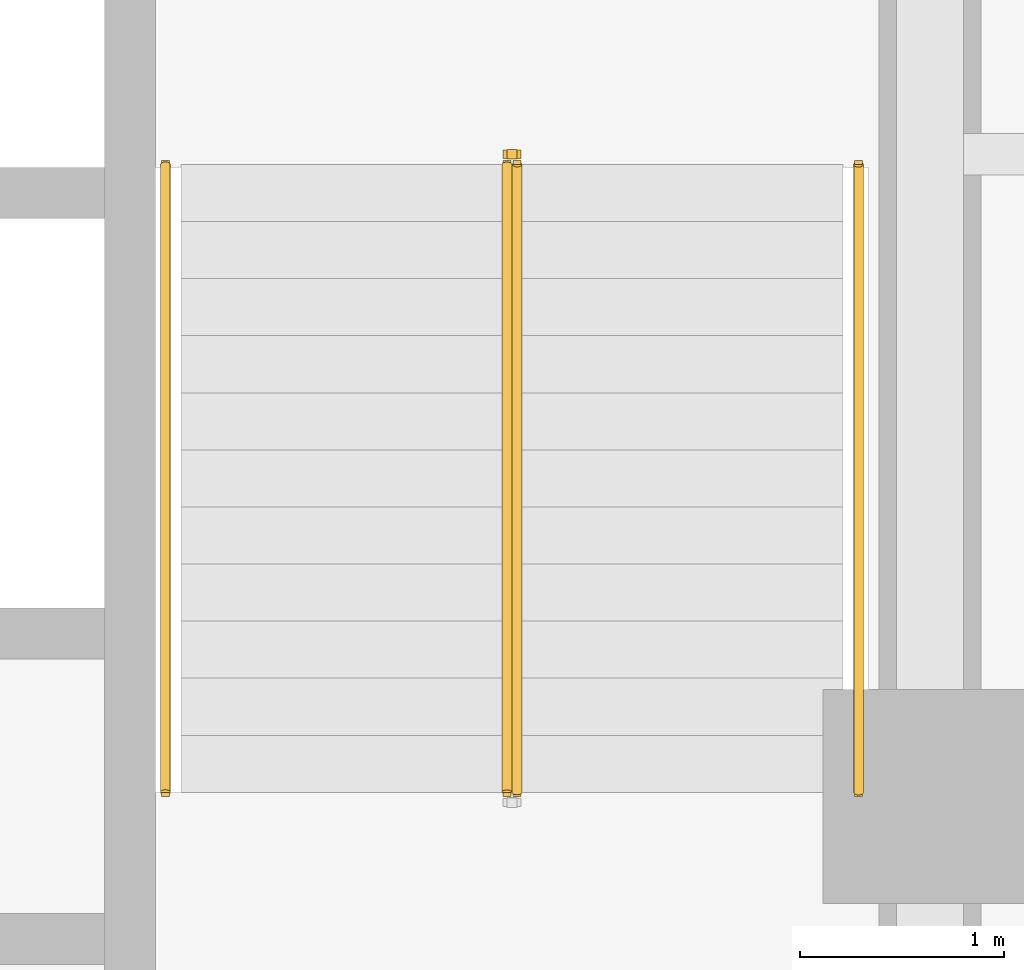
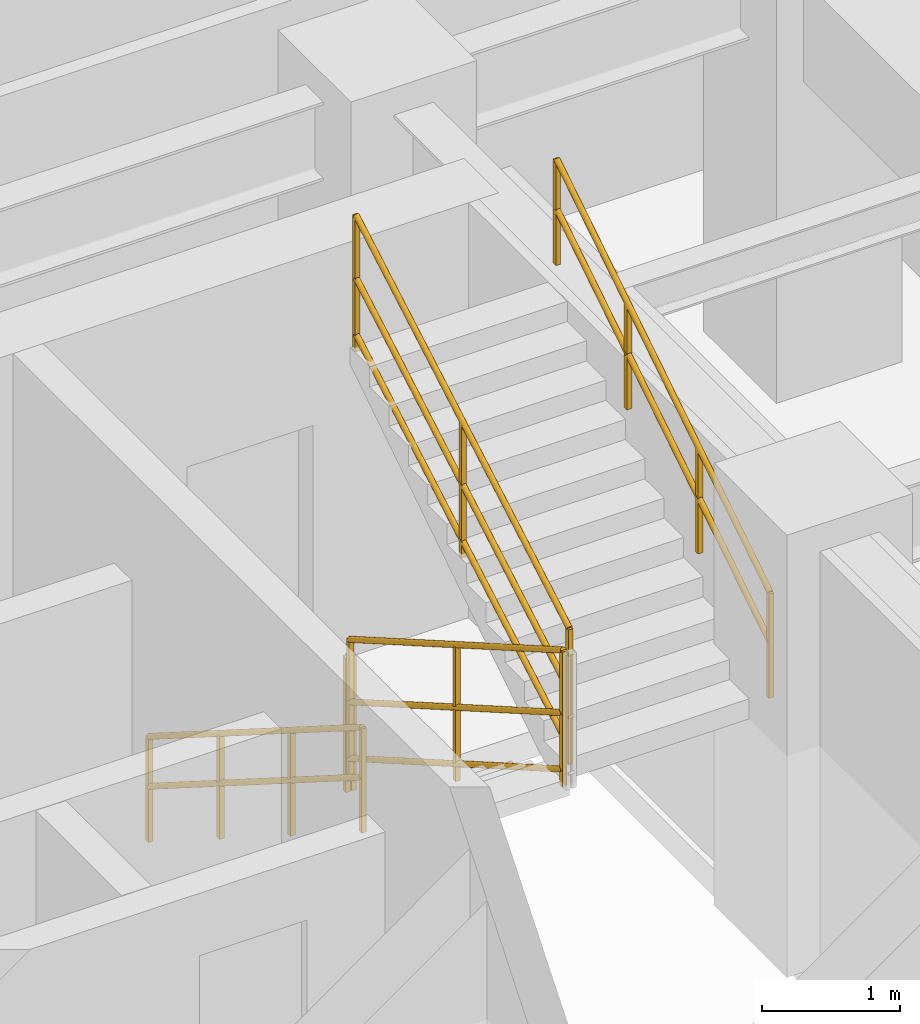
# One storey, part 8 of 9: 5 railings.
"""IFC4 building model written with IfcOpenShell, lengths in metres."""

from ifc_helpers import new_model, entity, si_unit, converted_unit, direction, frame, origin_with_axes, origin_2d_with_axis, place, context, subcontext, project, spatial, rectangle, circle, extrude, material, type_object, element, save


model = new_model("IFC4")

# Units and contexts
model_context = context("Model", 3, precision=1e-05, world=origin_with_axes(), true_north=direction((0.0, 1.0)))
body_context = subcontext(model_context, "Body", "Model", "MODEL_VIEW")
ifc_project = project(units=[si_unit("LENGTHUNIT", "METRE"), si_unit("AREAUNIT", "SQUARE_METRE"), si_unit("VOLUMEUNIT", "CUBIC_METRE"), converted_unit("PLANEANGLEUNIT", "DEGREE", entity("IfcPlaneAngleMeasure", 0.017453292519943295), si_unit("PLANEANGLEUNIT", "RADIAN"), dimensions=[0, 0, 0, 0, 0, 0, 0]), si_unit("MASSUNIT", "GRAM", prefix="KILO"), si_unit("THERMODYNAMICTEMPERATUREUNIT", "KELVIN")], contexts=[model_context])

# Site, building, storey
site_placement = place(None, origin_with_axes())
site = spatial("IfcSite", under=ifc_project, at=site_placement, CompositionType="ELEMENT")
building_placement = place(site_placement, origin_with_axes())
building = spatial("IfcBuilding", under=site, at=building_placement, Name="Varnlund Millrace Tower", CompositionType="ELEMENT")
storey_placement = place(building_placement, frame((0.0, 0.0, 144.6), z_axis=(0.0, 0.0, 1.0), x_axis=(1.0, 0.0, 0.0)))
storey = spatial("IfcBuildingStorey", under=building, at=storey_placement, Name="L35", CompositionType="ELEMENT", Elevation=144.6)

# Railings
ifc_material_1 = material(Name="Painted steel stair well balustrade guard", Category="steel")
railing_type_1 = type_object("IfcRailingType", Name="Type-StairGuard-1150", PredefinedType="GUARDRAIL", material=ifc_material_1)
railing_1_placement = place(storey_placement, frame((0.0, 0.0, -144.6), z_axis=(0.0, 0.0, 1.0), x_axis=(1.0, 0.0, 0.0)))
element("IfcRailing", 1, at=railing_1_placement, inside=storey, type_object=railing_type_1, Name="Type-StairGuard-1150", PredefinedType="GUARDRAIL", context=body_context, shape_type="SweptSolid", body=[
    extrude(circle(Radius=0.024, at=origin_2d_with_axis()), frame((45.975, 21.1, 145.927273), z_axis=(0.0, -0.866696, 0.498836), x_axis=(1.0, 0.0, 0.0)), (0.0, 0.0, 1.0), 3.553725),
    extrude(circle(Radius=0.024, at=origin_2d_with_axis()), frame((45.975, 21.1, 144.877273), z_axis=(0.0, -0.866696, 0.498836), x_axis=(1.0, 0.0, 0.0)), (0.0, 0.0, 1.0), 3.553725),
    extrude(circle(Radius=0.024, at=origin_2d_with_axis()), frame((45.975, 21.1, 145.375273), z_axis=(0.0, -0.866696, 0.498836), x_axis=(1.0, 0.0, 0.0)), (0.0, 0.0, 1.0), 3.553725),
    extrude(rectangle(XDim=0.04, YDim=0.04, at=origin_2d_with_axis()), frame((45.975, 21.1, 144.737273), z_axis=(0.0, 0.0, 1.0), x_axis=(1.0, 0.0, 0.0)), (0.0, 0.0, 1.0), 1.19),
    extrude(rectangle(XDim=0.04, YDim=0.04, at=origin_2d_with_axis()), frame((45.975, 19.56, 145.623636), z_axis=(0.0, 0.0, 1.0), x_axis=(1.0, 0.0, 0.0)), (0.0, 0.0, 1.0), 1.19),
    extrude(rectangle(XDim=0.04, YDim=0.04, at=origin_2d_with_axis()), frame((45.975, 18.02, 146.51), z_axis=(0.0, 0.0, 1.0), x_axis=(1.0, 0.0, 0.0)), (0.0, 0.0, 1.0), 1.19),
])
railing_2_placement = place(storey_placement, frame((0.0, 0.0, -144.6), z_axis=(0.0, 0.0, 1.0), x_axis=(1.0, 0.0, 0.0)))
element("IfcRailing", 2, at=railing_2_placement, inside=storey, type_object=railing_type_1, Name="Type-StairGuard-1150", PredefinedType="GUARDRAIL", context=body_context, shape_type="SweptSolid", body=[
    extrude(circle(Radius=0.024, at=origin_2d_with_axis()), frame((46.025, 18.02, 147.877273), z_axis=(0.0, 0.866696, 0.498836), x_axis=(-1.0, 0.0, 0.0)), (0.0, 0.0, 1.0), 3.553725),
    extrude(circle(Radius=0.024, at=origin_2d_with_axis()), frame((46.025, 18.02, 146.827273), z_axis=(0.0, 0.866696, 0.498836), x_axis=(-1.0, 0.0, 0.0)), (0.0, 0.0, 1.0), 3.553725),
    extrude(circle(Radius=0.024, at=origin_2d_with_axis()), frame((46.025, 18.02, 147.325273), z_axis=(0.0, 0.866696, 0.498836), x_axis=(-1.0, 0.0, 0.0)), (0.0, 0.0, 1.0), 3.553725),
    extrude(rectangle(XDim=0.04, YDim=0.04, at=origin_2d_with_axis()), frame((46.025, 18.02, 146.687273), z_axis=(0.0, 0.0, 1.0), x_axis=(1.0, 0.0, 0.0)), (0.0, 0.0, 1.0), 1.19),
    extrude(rectangle(XDim=0.04, YDim=0.04, at=origin_2d_with_axis()), frame((46.025, 19.56, 147.573636), z_axis=(0.0, 0.0, 1.0), x_axis=(1.0, 0.0, 0.0)), (0.0, 0.0, 1.0), 1.19),
    extrude(rectangle(XDim=0.04, YDim=0.04, at=origin_2d_with_axis()), frame((46.025, 21.1, 148.46), z_axis=(0.0, 0.0, 1.0), x_axis=(1.0, 0.0, 0.0)), (0.0, 0.0, 1.0), 1.19),
])
railing_3_placement = place(storey_placement, frame((0.0, 0.0, -144.6), z_axis=(0.0, 0.0, 1.0), x_axis=(1.0, 0.0, 0.0)))
element("IfcRailing", 3, at=railing_3_placement, inside=storey, type_object=railing_type_1, Name="Type-StairGuard-1150", PredefinedType="GUARDRAIL", context=body_context, shape_type="SweptSolid", body=[
    extrude(circle(Radius=0.024, at=origin_2d_with_axis()), frame((46.025, 21.15, 145.75), z_axis=(-1.0, 0.0, 0.0), x_axis=(0.0, -1.0, 0.0)), (0.0, 0.0, 1.0), 0.05),
    extrude(circle(Radius=0.024, at=origin_2d_with_axis()), frame((46.025, 21.15, 144.7), z_axis=(-1.0, 0.0, 0.0), x_axis=(0.0, -1.0, 0.0)), (0.0, 0.0, 1.0), 0.05),
    extrude(circle(Radius=0.024, at=origin_2d_with_axis()), frame((46.025, 21.15, 145.198), z_axis=(-1.0, 0.0, 0.0), x_axis=(0.0, -1.0, 0.0)), (0.0, 0.0, 1.0), 0.05),
    extrude(rectangle(XDim=0.04, YDim=0.04, at=origin_2d_with_axis()), frame((46.025, 21.15, 144.56), z_axis=(0.0, 0.0, 1.0), x_axis=(1.0, 0.0, 0.0)), (0.0, 0.0, 1.0), 1.19),
    extrude(rectangle(XDim=0.04, YDim=0.04, at=origin_2d_with_axis()), frame((45.975, 21.15, 144.56), z_axis=(0.0, 0.0, 1.0), x_axis=(1.0, 0.0, 0.0)), (0.0, 0.0, 1.0), 1.19),
])
ifc_material_2 = material(Name="Brushed architectural bronze stair handrail", Category="aluminium")
railing_type_2 = type_object("IfcRailingType", Name="Type-StairHandrail-900", PredefinedType="HANDRAIL", material=ifc_material_2)
railing_4_placement = place(storey_placement, frame((0.0, 0.0, -144.6), z_axis=(0.0, 0.0, 1.0), x_axis=(1.0, 0.0, 0.0)))
element("IfcRailing", 4, at=railing_4_placement, inside=storey, type_object=railing_type_2, Name="Type-StairHandrail-900", PredefinedType="HANDRAIL", context=body_context, shape_type="SweptSolid", body=[
    extrude(circle(Radius=0.024, at=origin_2d_with_axis()), frame((44.3, 21.1, 145.656995), z_axis=(0.0, -0.844902, 0.534922), x_axis=(1.0, 0.0, 0.0)), (0.0, 0.0, 1.0), 3.645394),
    extrude(circle(Radius=0.024, at=origin_2d_with_axis()), frame((44.3, 21.1, 145.217134), z_axis=(0.0, -0.844902, 0.534922), x_axis=(1.0, 0.0, 0.0)), (0.0, 0.0, 1.0), 3.645394),
    extrude(rectangle(XDim=0.04, YDim=0.04, at=origin_2d_with_axis()), frame((44.3, 21.1, 144.737273), z_axis=(0.0, 0.0, 1.0), x_axis=(1.0, 0.0, 0.0)), (0.0, 0.0, 1.0), 0.919722),
    extrude(rectangle(XDim=0.04, YDim=0.04, at=origin_2d_with_axis()), frame((44.3, 20.073333, 145.387273), z_axis=(0.0, 0.0, 1.0), x_axis=(1.0, 0.0, 0.0)), (0.0, 0.0, 1.0), 0.919722),
    extrude(rectangle(XDim=0.04, YDim=0.04, at=origin_2d_with_axis()), frame((44.3, 19.046667, 146.037273), z_axis=(0.0, 0.0, 1.0), x_axis=(1.0, 0.0, 0.0)), (0.0, 0.0, 1.0), 0.919722),
    extrude(rectangle(XDim=0.04, YDim=0.04, at=origin_2d_with_axis()), frame((44.3, 18.02, 146.687273), z_axis=(0.0, 0.0, 1.0), x_axis=(1.0, 0.0, 0.0)), (0.0, 0.0, 1.0), 0.919722),
])
railing_5_placement = place(storey_placement, frame((0.0, 0.0, -144.6), z_axis=(0.0, 0.0, 1.0), x_axis=(1.0, 0.0, 0.0)))
element("IfcRailing", 5, at=railing_5_placement, inside=storey, type_object=railing_type_2, Name="Type-StairHandrail-900", PredefinedType="HANDRAIL", context=body_context, shape_type="SweptSolid", body=[
    extrude(circle(Radius=0.024, at=origin_2d_with_axis()), frame((47.7, 18.02, 147.606995), z_axis=(0.0, 0.844902, 0.534922), x_axis=(-1.0, 0.0, 0.0)), (0.0, 0.0, 1.0), 3.645394),
    extrude(circle(Radius=0.024, at=origin_2d_with_axis()), frame((47.7, 18.02, 147.167134), z_axis=(0.0, 0.844902, 0.534922), x_axis=(-1.0, 0.0, 0.0)), (0.0, 0.0, 1.0), 3.645394),
    extrude(rectangle(XDim=0.04, YDim=0.04, at=origin_2d_with_axis()), frame((47.7, 18.02, 146.687273), z_axis=(0.0, 0.0, 1.0), x_axis=(1.0, 0.0, 0.0)), (0.0, 0.0, 1.0), 0.919722),
    extrude(rectangle(XDim=0.04, YDim=0.04, at=origin_2d_with_axis()), frame((47.7, 19.046667, 147.337273), z_axis=(0.0, 0.0, 1.0), x_axis=(1.0, 0.0, 0.0)), (0.0, 0.0, 1.0), 0.919722),
    extrude(rectangle(XDim=0.04, YDim=0.04, at=origin_2d_with_axis()), frame((47.7, 20.073333, 147.987273), z_axis=(0.0, 0.0, 1.0), x_axis=(1.0, 0.0, 0.0)), (0.0, 0.0, 1.0), 0.919722),
    extrude(rectangle(XDim=0.04, YDim=0.04, at=origin_2d_with_axis()), frame((47.7, 21.1, 148.637273), z_axis=(0.0, 0.0, 1.0), x_axis=(1.0, 0.0, 0.0)), (0.0, 0.0, 1.0), 0.919722),
])

save(model, "model.ifc")
